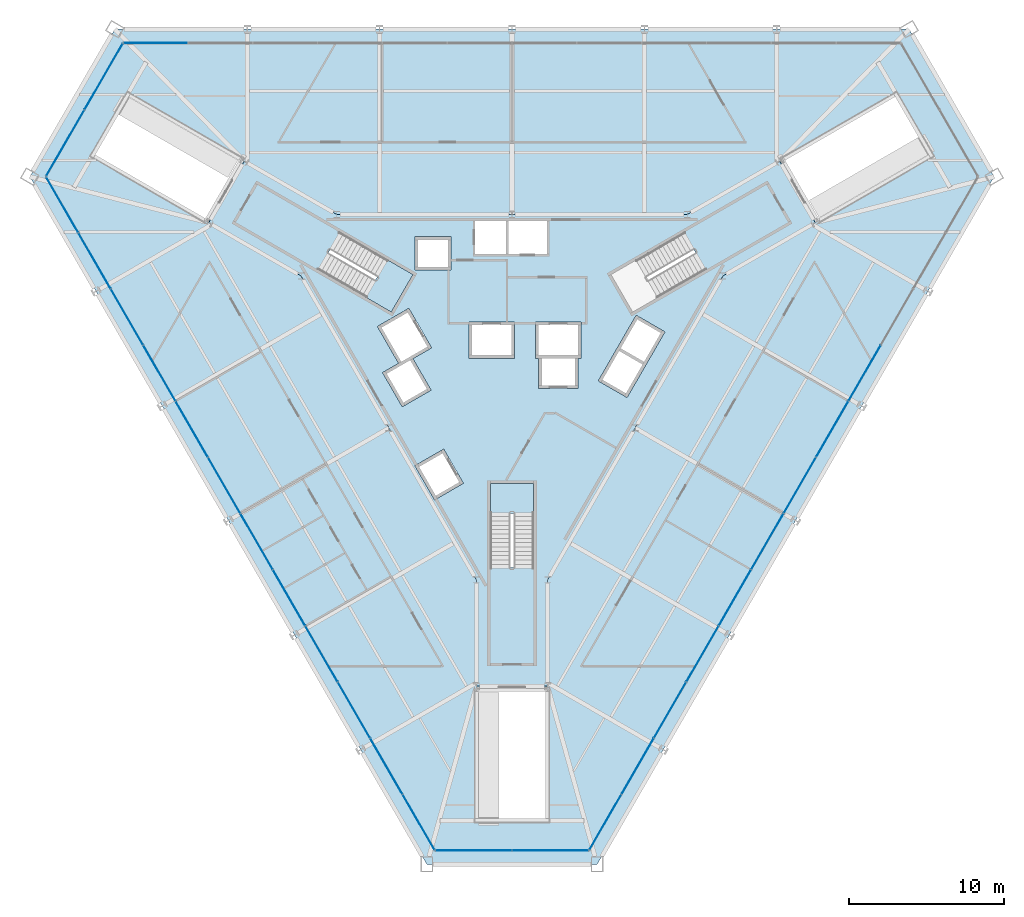
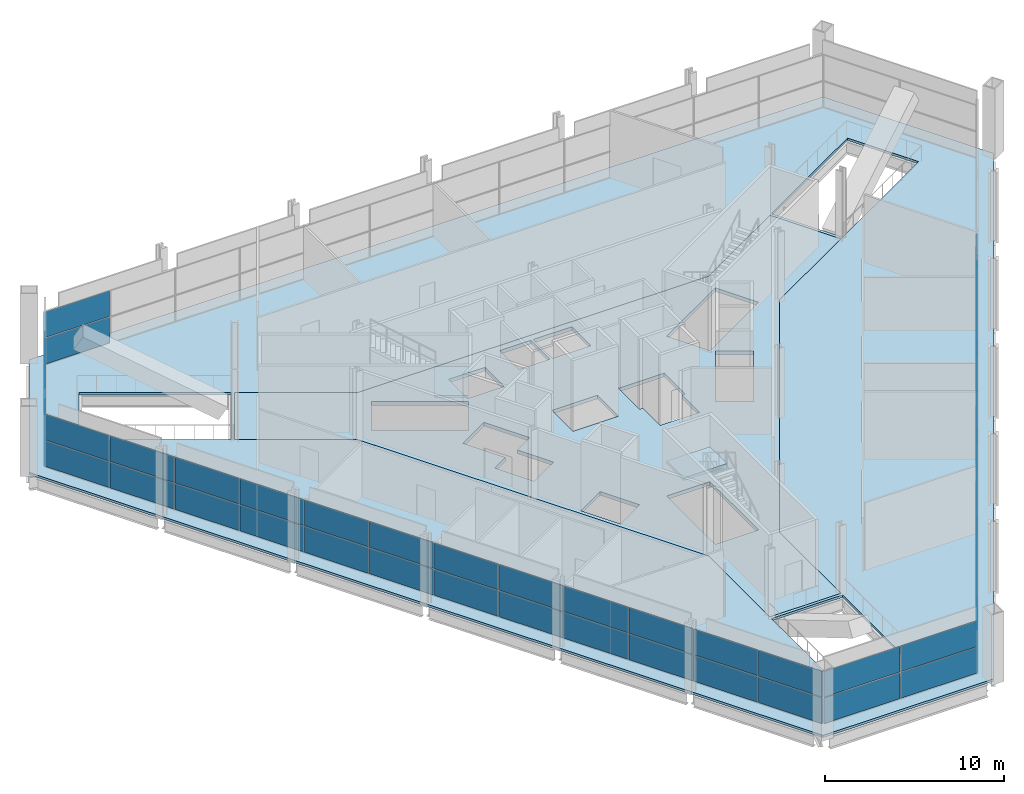
# One storey, part 11 of 18: 52 plates, 4 slabs, 7 elements without a shape of their own.
"""IFC4 building model written with IfcOpenShell, lengths in metres."""

from ifc_helpers import new_model, si_unit, direction, frame, origin, origin_2d, place, context, subcontext, project, spatial, polyline, rectangle, outline, extrude, material, layer, layer_set, type_object, element, aggregate, save


model = new_model("IFC4")

# Units and contexts
model_context = context("Model", 3, precision=1e-05, world=origin(), true_north=direction((0.0, 1.0)))
body_context = subcontext(model_context, "Body", "Model", "MODEL_VIEW")
ifc_project = project(units=[si_unit("LENGTHUNIT", "METRE"), si_unit("AREAUNIT", "SQUARE_METRE"), si_unit("VOLUMEUNIT", "CUBIC_METRE"), si_unit("PLANEANGLEUNIT", "RADIAN"), si_unit("MASSUNIT", "GRAM", prefix="KILO")], contexts=[model_context])

# Site, building, storey
site_placement = place(None, origin())
site = spatial("IfcSite", under=ifc_project, at=site_placement, CompositionType="ELEMENT")
building_placement = place(site_placement, origin())
building = spatial("IfcBuilding", under=site, at=building_placement, Name="Verrane Prism Tower", CompositionType="ELEMENT")
storey_placement = place(building_placement, frame((0.0, 0.0, 22.39990234375)))
storey = spatial("IfcBuildingStorey", under=building, at=storey_placement, Name="L03", CompositionType="ELEMENT", Elevation=22.39990234375)

# Curtain wall, plates
ifc_material_1 = material(Name="Aluminium and glass curtain wall", Category="aluminium")
ifc_layer_1 = layer(ifc_material_1, 0.199951171875)
ifc_layer_set_1 = layer_set([ifc_layer_1], Name="CWB-1 retail curtain wall")
curtain_wall_type = type_object("IfcCurtainWallType", Name="CWB-1 retail curtain wall", PredefinedType="NOTDEFINED", material=ifc_layer_set_1)
curtain_wall_1_placement = place(storey_placement, origin())
curtain_wall_1 = element("IfcCurtainWall", 1, at=curtain_wall_1_placement, inside=storey, type_object=curtain_wall_type, Name="Retail curtain wall L03 2", PredefinedType="NOTDEFINED")
ifc_material_2 = material(Name="Glass double glazed low-e", Category="glass")
ifc_layer_2 = layer(ifc_material_2, 0.028076171875)
ifc_layer_set_2 = layer_set([ifc_layer_2], Name="CWB-P 28 mm low-e glass panel")
plate_type = type_object("IfcPlateType", Name="CWB-P 28 mm low-e glass panel", PredefinedType="CURTAIN_PANEL", material=ifc_layer_set_2)
plate_1_placement = place(storey_placement, frame((-23.037109375, 20.27001953125, 0.06005859375), z_axis=(0.0, 0.0, 1.0), x_axis=(-1.0, 0.0, 0.0)))
plate_1 = element("IfcPlate", 2, at=plate_1_placement, type_object=plate_type, Name="CWB32 panel 12.1", PredefinedType="CURTAIN_PANEL", context=body_context, shape_type="SweptSolid", body=[
    extrude(rectangle(XDim=4.101318359375, YDim=0.028076171875, at=origin_2d()), origin(), (0.0, 0.0, 1.0), 1.7548828125),
])
plate_2_placement = place(storey_placement, frame((-23.037109375, 20.27001953125, 1.875244140625), z_axis=(0.0, 0.0, 1.0), x_axis=(-1.0, 0.0, 0.0)))
plate_2 = element("IfcPlate", 3, at=plate_2_placement, type_object=plate_type, Name="CWB32 panel 12.2", PredefinedType="CURTAIN_PANEL", context=body_context, shape_type="SweptSolid", body=[
    extrude(rectangle(XDim=4.101318359375, YDim=0.028076171875, at=origin_2d()), origin(), (0.0, 0.0, 1.0), 1.7548828125),
])
aggregate(curtain_wall_1, [plate_1, plate_2])

curtain_wall_2_placement = place(storey_placement, origin())
curtain_wall_2 = element("IfcCurtainWall", 4, at=curtain_wall_2_placement, inside=storey, type_object=curtain_wall_type, Name="Retail curtain wall L03 3", PredefinedType="NOTDEFINED")
plate_3_placement = place(storey_placement, frame((-26.400390625, 18.100341796875, 0.06005859375), z_axis=(0.0, 0.0, 1.0), x_axis=(-0.499999190758, -0.866025871, 0.0)))
plate_3 = element("IfcPlate", 5, at=plate_3_placement, type_object=plate_type, Name="CWB33 panel 1.1", PredefinedType="CURTAIN_PANEL", context=body_context, shape_type="SweptSolid", body=[
    extrude(rectangle(XDim=4.890380859375, YDim=0.028076171875, at=origin_2d()), origin(), (0.0, 0.0, 1.0), 1.7548828125),
])
plate_4_placement = place(storey_placement, frame((-26.400390625, 18.100341796875, 1.875244140625), z_axis=(0.0, 0.0, 1.0), x_axis=(-0.499999190758, -0.866025871, 0.0)))
plate_4 = element("IfcPlate", 6, at=plate_4_placement, type_object=plate_type, Name="CWB33 panel 1.2", PredefinedType="CURTAIN_PANEL", context=body_context, shape_type="SweptSolid", body=[
    extrude(rectangle(XDim=4.890380859375, YDim=0.028076171875, at=origin_2d()), origin(), (0.0, 0.0, 1.0), 1.7548828125),
])
plate_5_placement = place(storey_placement, frame((-28.875732421875, 13.813232421875, 0.06005859375), z_axis=(0.0, 0.0, 1.0), x_axis=(-0.499999190758, -0.866025871, 0.0)))
plate_5 = element("IfcPlate", 7, at=plate_5_placement, type_object=plate_type, Name="CWB33 panel 2.1", PredefinedType="CURTAIN_PANEL", context=body_context, shape_type="SweptSolid", body=[
    extrude(rectangle(XDim=4.890380859375, YDim=0.028076171875, at=origin_2d()), origin(), (0.0, 0.0, 1.0), 1.7548828125),
])
plate_6_placement = place(storey_placement, frame((-28.875732421875, 13.813232421875, 1.875244140625), z_axis=(0.0, 0.0, 1.0), x_axis=(-0.499999190758, -0.866025871, 0.0)))
plate_6 = element("IfcPlate", 8, at=plate_6_placement, type_object=plate_type, Name="CWB33 panel 2.2", PredefinedType="CURTAIN_PANEL", context=body_context, shape_type="SweptSolid", body=[
    extrude(rectangle(XDim=4.890380859375, YDim=0.028076171875, at=origin_2d()), origin(), (0.0, 0.0, 1.0), 1.7548828125),
])
aggregate(curtain_wall_2, [plate_3, plate_4, plate_5, plate_6])

curtain_wall_3_placement = place(storey_placement, origin())
curtain_wall_3 = element("IfcCurtainWall", 9, at=curtain_wall_3_placement, inside=storey, type_object=curtain_wall_type, Name="Retail curtain wall L03 4", PredefinedType="NOTDEFINED")
plate_7_placement = place(storey_placement, frame((-29.072998046875, 9.81591796875, 0.06005859375), z_axis=(0.0, 0.0, 1.0), x_axis=(0.50000011897, -0.866025335097, 0.0)))
plate_7 = element("IfcPlate", 10, at=plate_7_placement, type_object=plate_type, Name="CWB34 panel 1.1", PredefinedType="CURTAIN_PANEL", context=body_context, shape_type="SweptSolid", body=[
    extrude(rectangle(XDim=4.101318359375, YDim=0.028076171875, at=origin_2d()), origin(), (0.0, 0.0, 1.0), 1.7548828125),
])
plate_8_placement = place(storey_placement, frame((-29.072998046875, 9.81591796875, 1.875244140625), z_axis=(0.0, 0.0, 1.0), x_axis=(0.50000011897, -0.866025335097, 0.0)))
plate_8 = element("IfcPlate", 11, at=plate_8_placement, type_object=plate_type, Name="CWB34 panel 1.2", PredefinedType="CURTAIN_PANEL", context=body_context, shape_type="SweptSolid", body=[
    extrude(rectangle(XDim=4.101318359375, YDim=0.028076171875, at=origin_2d()), origin(), (0.0, 0.0, 1.0), 1.7548828125),
])
plate_9_placement = place(storey_placement, frame((-26.98486328125, 6.198974609375, 0.06005859375), z_axis=(0.0, 0.0, 1.0), x_axis=(0.50000011897, -0.866025335097, 0.0)))
plate_9 = element("IfcPlate", 12, at=plate_9_placement, type_object=plate_type, Name="CWB34 panel 2.1", PredefinedType="CURTAIN_PANEL", context=body_context, shape_type="SweptSolid", body=[
    extrude(rectangle(XDim=4.13134765625, YDim=0.028076171875, at=origin_2d()), origin(), (0.0, 0.0, 1.0), 1.7548828125),
])
plate_10_placement = place(storey_placement, frame((-26.98486328125, 6.198974609375, 1.875244140625), z_axis=(0.0, 0.0, 1.0), x_axis=(0.50000011897, -0.866025335097, 0.0)))
plate_10 = element("IfcPlate", 13, at=plate_10_placement, type_object=plate_type, Name="CWB34 panel 2.2", PredefinedType="CURTAIN_PANEL", context=body_context, shape_type="SweptSolid", body=[
    extrude(rectangle(XDim=4.13134765625, YDim=0.028076171875, at=origin_2d()), origin(), (0.0, 0.0, 1.0), 1.7548828125),
])
plate_11_placement = place(storey_placement, frame((-24.88916015625, 2.5693359375, 0.06005859375), z_axis=(0.0, 0.0, 1.0), x_axis=(0.50000011897, -0.866025335097, 0.0)))
plate_11 = element("IfcPlate", 14, at=plate_11_placement, type_object=plate_type, Name="CWB34 panel 3.1", PredefinedType="CURTAIN_PANEL", context=body_context, shape_type="SweptSolid", body=[
    extrude(rectangle(XDim=4.13134765625, YDim=0.028076171875, at=origin_2d()), origin(), (0.0, 0.0, 1.0), 1.7548828125),
])
plate_12_placement = place(storey_placement, frame((-24.88916015625, 2.5693359375, 1.875244140625), z_axis=(0.0, 0.0, 1.0), x_axis=(0.50000011897, -0.866025335097, 0.0)))
plate_12 = element("IfcPlate", 15, at=plate_12_placement, type_object=plate_type, Name="CWB34 panel 3.2", PredefinedType="CURTAIN_PANEL", context=body_context, shape_type="SweptSolid", body=[
    extrude(rectangle(XDim=4.13134765625, YDim=0.028076171875, at=origin_2d()), origin(), (0.0, 0.0, 1.0), 1.7548828125),
])
plate_13_placement = place(storey_placement, frame((-22.79345703125, -1.060546875, 0.06005859375), z_axis=(0.0, 0.0, 1.0), x_axis=(0.50000011897, -0.866025335097, 0.0)))
plate_13 = element("IfcPlate", 16, at=plate_13_placement, type_object=plate_type, Name="CWB34 panel 4.1", PredefinedType="CURTAIN_PANEL", context=body_context, shape_type="SweptSolid", body=[
    extrude(rectangle(XDim=4.13134765625, YDim=0.028076171875, at=origin_2d()), origin(), (0.0, 0.0, 1.0), 1.7548828125),
])
plate_14_placement = place(storey_placement, frame((-22.79345703125, -1.060546875, 1.875244140625), z_axis=(0.0, 0.0, 1.0), x_axis=(0.50000011897, -0.866025335097, 0.0)))
plate_14 = element("IfcPlate", 17, at=plate_14_placement, type_object=plate_type, Name="CWB34 panel 4.2", PredefinedType="CURTAIN_PANEL", context=body_context, shape_type="SweptSolid", body=[
    extrude(rectangle(XDim=4.13134765625, YDim=0.028076171875, at=origin_2d()), origin(), (0.0, 0.0, 1.0), 1.7548828125),
])
plate_15_placement = place(storey_placement, frame((-20.69775390625, -4.6904296875, 0.06005859375), z_axis=(0.0, 0.0, 1.0), x_axis=(0.50000011897, -0.866025335097, 0.0)))
plate_15 = element("IfcPlate", 18, at=plate_15_placement, type_object=plate_type, Name="CWB34 panel 5.1", PredefinedType="CURTAIN_PANEL", context=body_context, shape_type="SweptSolid", body=[
    extrude(rectangle(XDim=4.13134765625, YDim=0.028076171875, at=origin_2d()), origin(), (0.0, 0.0, 1.0), 1.7548828125),
])
plate_16_placement = place(storey_placement, frame((-20.69775390625, -4.6904296875, 1.875244140625), z_axis=(0.0, 0.0, 1.0), x_axis=(0.50000011897, -0.866025335097, 0.0)))
plate_16 = element("IfcPlate", 19, at=plate_16_placement, type_object=plate_type, Name="CWB34 panel 5.2", PredefinedType="CURTAIN_PANEL", context=body_context, shape_type="SweptSolid", body=[
    extrude(rectangle(XDim=4.13134765625, YDim=0.028076171875, at=origin_2d()), origin(), (0.0, 0.0, 1.0), 1.7548828125),
])
plate_17_placement = place(storey_placement, frame((-18.60205078125, -8.320068359375, 0.06005859375), z_axis=(0.0, 0.0, 1.0), x_axis=(0.50000011897, -0.866025335097, 0.0)))
plate_17 = element("IfcPlate", 20, at=plate_17_placement, type_object=plate_type, Name="CWB34 panel 6.1", PredefinedType="CURTAIN_PANEL", context=body_context, shape_type="SweptSolid", body=[
    extrude(rectangle(XDim=4.13134765625, YDim=0.028076171875, at=origin_2d()), origin(), (0.0, 0.0, 1.0), 1.7548828125),
])
plate_18_placement = place(storey_placement, frame((-18.60205078125, -8.320068359375, 1.875244140625), z_axis=(0.0, 0.0, 1.0), x_axis=(0.50000011897, -0.866025335097, 0.0)))
plate_18 = element("IfcPlate", 21, at=plate_18_placement, type_object=plate_type, Name="CWB34 panel 6.2", PredefinedType="CURTAIN_PANEL", context=body_context, shape_type="SweptSolid", body=[
    extrude(rectangle(XDim=4.13134765625, YDim=0.028076171875, at=origin_2d()), origin(), (0.0, 0.0, 1.0), 1.7548828125),
])
plate_19_placement = place(storey_placement, frame((-16.506591796875, -11.949951171875, 0.06005859375), z_axis=(0.0, 0.0, 1.0), x_axis=(0.50000011897, -0.866025335097, 0.0)))
plate_19 = element("IfcPlate", 22, at=plate_19_placement, type_object=plate_type, Name="CWB34 panel 7.1", PredefinedType="CURTAIN_PANEL", context=body_context, shape_type="SweptSolid", body=[
    extrude(rectangle(XDim=4.13134765625, YDim=0.028076171875, at=origin_2d()), origin(), (0.0, 0.0, 1.0), 1.7548828125),
])
plate_20_placement = place(storey_placement, frame((-16.506591796875, -11.949951171875, 1.875244140625), z_axis=(0.0, 0.0, 1.0), x_axis=(0.50000011897, -0.866025335097, 0.0)))
plate_20 = element("IfcPlate", 23, at=plate_20_placement, type_object=plate_type, Name="CWB34 panel 7.2", PredefinedType="CURTAIN_PANEL", context=body_context, shape_type="SweptSolid", body=[
    extrude(rectangle(XDim=4.13134765625, YDim=0.028076171875, at=origin_2d()), origin(), (0.0, 0.0, 1.0), 1.7548828125),
])
plate_21_placement = place(storey_placement, frame((-14.410888671875, -15.57958984375, 0.06005859375), z_axis=(0.0, 0.0, 1.0), x_axis=(0.50000011897, -0.866025335097, 0.0)))
plate_21 = element("IfcPlate", 24, at=plate_21_placement, type_object=plate_type, Name="CWB34 panel 8.1", PredefinedType="CURTAIN_PANEL", context=body_context, shape_type="SweptSolid", body=[
    extrude(rectangle(XDim=4.13134765625, YDim=0.028076171875, at=origin_2d()), origin(), (0.0, 0.0, 1.0), 1.7548828125),
])
plate_22_placement = place(storey_placement, frame((-14.410888671875, -15.57958984375, 1.875244140625), z_axis=(0.0, 0.0, 1.0), x_axis=(0.50000011897, -0.866025335097, 0.0)))
plate_22 = element("IfcPlate", 25, at=plate_22_placement, type_object=plate_type, Name="CWB34 panel 8.2", PredefinedType="CURTAIN_PANEL", context=body_context, shape_type="SweptSolid", body=[
    extrude(rectangle(XDim=4.13134765625, YDim=0.028076171875, at=origin_2d()), origin(), (0.0, 0.0, 1.0), 1.7548828125),
])
plate_23_placement = place(storey_placement, frame((-12.315185546875, -19.20947265625, 0.06005859375), z_axis=(0.0, 0.0, 1.0), x_axis=(0.50000011897, -0.866025335097, 0.0)))
plate_23 = element("IfcPlate", 26, at=plate_23_placement, type_object=plate_type, Name="CWB34 panel 9.1", PredefinedType="CURTAIN_PANEL", context=body_context, shape_type="SweptSolid", body=[
    extrude(rectangle(XDim=4.13134765625, YDim=0.028076171875, at=origin_2d()), origin(), (0.0, 0.0, 1.0), 1.7548828125),
])
plate_24_placement = place(storey_placement, frame((-12.315185546875, -19.20947265625, 1.875244140625), z_axis=(0.0, 0.0, 1.0), x_axis=(0.50000011897, -0.866025335097, 0.0)))
plate_24 = element("IfcPlate", 27, at=plate_24_placement, type_object=plate_type, Name="CWB34 panel 9.2", PredefinedType="CURTAIN_PANEL", context=body_context, shape_type="SweptSolid", body=[
    extrude(rectangle(XDim=4.13134765625, YDim=0.028076171875, at=origin_2d()), origin(), (0.0, 0.0, 1.0), 1.7548828125),
])
plate_25_placement = place(storey_placement, frame((-10.219482421875, -22.83935546875, 0.06005859375), z_axis=(0.0, 0.0, 1.0), x_axis=(0.50000011897, -0.866025335097, 0.0)))
plate_25 = element("IfcPlate", 28, at=plate_25_placement, type_object=plate_type, Name="CWB34 panel 10.1", PredefinedType="CURTAIN_PANEL", context=body_context, shape_type="SweptSolid", body=[
    extrude(rectangle(XDim=4.13134765625, YDim=0.028076171875, at=origin_2d()), origin(), (0.0, 0.0, 1.0), 1.7548828125),
])
plate_26_placement = place(storey_placement, frame((-10.219482421875, -22.83935546875, 1.875244140625), z_axis=(0.0, 0.0, 1.0), x_axis=(0.50000011897, -0.866025335097, 0.0)))
plate_26 = element("IfcPlate", 29, at=plate_26_placement, type_object=plate_type, Name="CWB34 panel 10.2", PredefinedType="CURTAIN_PANEL", context=body_context, shape_type="SweptSolid", body=[
    extrude(rectangle(XDim=4.13134765625, YDim=0.028076171875, at=origin_2d()), origin(), (0.0, 0.0, 1.0), 1.7548828125),
])
plate_27_placement = place(storey_placement, frame((-8.123779296875, -26.468994140625, 0.06005859375), z_axis=(0.0, 0.0, 1.0), x_axis=(0.50000011897, -0.866025335097, 0.0)))
plate_27 = element("IfcPlate", 30, at=plate_27_placement, type_object=plate_type, Name="CWB34 panel 11.1", PredefinedType="CURTAIN_PANEL", context=body_context, shape_type="SweptSolid", body=[
    extrude(rectangle(XDim=4.13134765625, YDim=0.028076171875, at=origin_2d()), origin(), (0.0, 0.0, 1.0), 1.7548828125),
])
plate_28_placement = place(storey_placement, frame((-8.123779296875, -26.468994140625, 1.875244140625), z_axis=(0.0, 0.0, 1.0), x_axis=(0.50000011897, -0.866025335097, 0.0)))
plate_28 = element("IfcPlate", 31, at=plate_28_placement, type_object=plate_type, Name="CWB34 panel 11.2", PredefinedType="CURTAIN_PANEL", context=body_context, shape_type="SweptSolid", body=[
    extrude(rectangle(XDim=4.13134765625, YDim=0.028076171875, at=origin_2d()), origin(), (0.0, 0.0, 1.0), 1.7548828125),
])
plate_29_placement = place(storey_placement, frame((-6.03564453125, -30.0859375, 0.06005859375), z_axis=(0.0, 0.0, 1.0), x_axis=(0.50000011897, -0.866025335097, 0.0)))
plate_29 = element("IfcPlate", 32, at=plate_29_placement, type_object=plate_type, Name="CWB34 panel 12.1", PredefinedType="CURTAIN_PANEL", context=body_context, shape_type="SweptSolid", body=[
    extrude(rectangle(XDim=4.101318359375, YDim=0.028076171875, at=origin_2d()), origin(), (0.0, 0.0, 1.0), 1.7548828125),
])
plate_30_placement = place(storey_placement, frame((-6.03564453125, -30.0859375, 1.875244140625), z_axis=(0.0, 0.0, 1.0), x_axis=(0.50000011897, -0.866025335097, 0.0)))
plate_30 = element("IfcPlate", 33, at=plate_30_placement, type_object=plate_type, Name="CWB34 panel 12.2", PredefinedType="CURTAIN_PANEL", context=body_context, shape_type="SweptSolid", body=[
    extrude(rectangle(XDim=4.101318359375, YDim=0.028076171875, at=origin_2d()), origin(), (0.0, 0.0, 1.0), 1.7548828125),
])
aggregate(curtain_wall_3, [plate_7, plate_8, plate_9, plate_10, plate_11, plate_12, plate_13, plate_14, plate_15, plate_16, plate_17, plate_18, plate_19, plate_20, plate_21, plate_22, plate_23, plate_24, plate_25, plate_26, plate_27, plate_28, plate_29, plate_30])

curtain_wall_4_placement = place(storey_placement, origin())
curtain_wall_4 = element("IfcCurtainWall", 34, at=curtain_wall_4_placement, inside=storey, type_object=curtain_wall_type, Name="Retail curtain wall L03 5", PredefinedType="NOTDEFINED")
plate_31_placement = place(storey_placement, frame((-2.47509765625, -31.913818359375, 0.06005859375), z_axis=(0.0, 0.0, 1.0), x_axis=(1.0, 0.0, 0.0)))
plate_31 = element("IfcPlate", 35, at=plate_31_placement, type_object=plate_type, Name="CWB35 panel 1.1", PredefinedType="CURTAIN_PANEL", context=body_context, shape_type="SweptSolid", body=[
    extrude(rectangle(XDim=4.890380859375, YDim=0.028076171875, at=origin_2d()), origin(), (0.0, 0.0, 1.0), 1.7548828125),
])
plate_32_placement = place(storey_placement, frame((-2.47509765625, -31.913818359375, 1.875244140625), z_axis=(0.0, 0.0, 1.0), x_axis=(1.0, 0.0, 0.0)))
plate_32 = element("IfcPlate", 36, at=plate_32_placement, type_object=plate_type, Name="CWB35 panel 1.2", PredefinedType="CURTAIN_PANEL", context=body_context, shape_type="SweptSolid", body=[
    extrude(rectangle(XDim=4.890380859375, YDim=0.028076171875, at=origin_2d()), origin(), (0.0, 0.0, 1.0), 1.7548828125),
])
plate_33_placement = place(storey_placement, frame((2.47509765625, -31.913818359375, 0.06005859375), z_axis=(0.0, 0.0, 1.0), x_axis=(1.0, 0.0, 0.0)))
plate_33 = element("IfcPlate", 37, at=plate_33_placement, type_object=plate_type, Name="CWB35 panel 2.1", PredefinedType="CURTAIN_PANEL", context=body_context, shape_type="SweptSolid", body=[
    extrude(rectangle(XDim=4.890380859375, YDim=0.028076171875, at=origin_2d()), origin(), (0.0, 0.0, 1.0), 1.7548828125),
])
plate_34_placement = place(storey_placement, frame((2.47509765625, -31.913818359375, 1.875244140625), z_axis=(0.0, 0.0, 1.0), x_axis=(1.0, 0.0, 0.0)))
plate_34 = element("IfcPlate", 38, at=plate_34_placement, type_object=plate_type, Name="CWB35 panel 2.2", PredefinedType="CURTAIN_PANEL", context=body_context, shape_type="SweptSolid", body=[
    extrude(rectangle(XDim=4.890380859375, YDim=0.028076171875, at=origin_2d()), origin(), (0.0, 0.0, 1.0), 1.7548828125),
])
aggregate(curtain_wall_4, [plate_31, plate_32, plate_33, plate_34])

curtain_wall_5_placement = place(storey_placement, origin())
curtain_wall_5 = element("IfcCurtainWall", 39, at=curtain_wall_5_placement, inside=storey, type_object=curtain_wall_type, Name="Retail curtain wall L03 6", PredefinedType="NOTDEFINED")
plate_35_placement = place(storey_placement, frame((6.03564453125, -30.0859375, 0.06005859375), z_axis=(0.0, 0.0, 1.0), x_axis=(0.50000011897, 0.866025335097, 0.0)))
plate_35 = element("IfcPlate", 40, at=plate_35_placement, type_object=plate_type, Name="CWB36 panel 1.1", PredefinedType="CURTAIN_PANEL", context=body_context, shape_type="SweptSolid", body=[
    extrude(rectangle(XDim=4.101318359375, YDim=0.028076171875, at=origin_2d()), origin(), (0.0, 0.0, 1.0), 1.7548828125),
])
plate_36_placement = place(storey_placement, frame((6.03564453125, -30.0859375, 1.875244140625), z_axis=(0.0, 0.0, 1.0), x_axis=(0.50000011897, 0.866025335097, 0.0)))
plate_36 = element("IfcPlate", 41, at=plate_36_placement, type_object=plate_type, Name="CWB36 panel 1.2", PredefinedType="CURTAIN_PANEL", context=body_context, shape_type="SweptSolid", body=[
    extrude(rectangle(XDim=4.101318359375, YDim=0.028076171875, at=origin_2d()), origin(), (0.0, 0.0, 1.0), 1.7548828125),
])
plate_37_placement = place(storey_placement, frame((8.123779296875, -26.468994140625, 0.06005859375), z_axis=(0.0, 0.0, 1.0), x_axis=(0.50000011897, 0.866025335097, 0.0)))
plate_37 = element("IfcPlate", 42, at=plate_37_placement, type_object=plate_type, Name="CWB36 panel 2.1", PredefinedType="CURTAIN_PANEL", context=body_context, shape_type="SweptSolid", body=[
    extrude(rectangle(XDim=4.13134765625, YDim=0.028076171875, at=origin_2d()), origin(), (0.0, 0.0, 1.0), 1.7548828125),
])
plate_38_placement = place(storey_placement, frame((8.123779296875, -26.468994140625, 1.875244140625), z_axis=(0.0, 0.0, 1.0), x_axis=(0.50000011897, 0.866025335097, 0.0)))
plate_38 = element("IfcPlate", 43, at=plate_38_placement, type_object=plate_type, Name="CWB36 panel 2.2", PredefinedType="CURTAIN_PANEL", context=body_context, shape_type="SweptSolid", body=[
    extrude(rectangle(XDim=4.13134765625, YDim=0.028076171875, at=origin_2d()), origin(), (0.0, 0.0, 1.0), 1.7548828125),
])
plate_39_placement = place(storey_placement, frame((10.219482421875, -22.83935546875, 0.06005859375), z_axis=(0.0, 0.0, 1.0), x_axis=(0.50000011897, 0.866025335097, 0.0)))
plate_39 = element("IfcPlate", 44, at=plate_39_placement, type_object=plate_type, Name="CWB36 panel 3.1", PredefinedType="CURTAIN_PANEL", context=body_context, shape_type="SweptSolid", body=[
    extrude(rectangle(XDim=4.13134765625, YDim=0.028076171875, at=origin_2d()), origin(), (0.0, 0.0, 1.0), 1.7548828125),
])
plate_40_placement = place(storey_placement, frame((10.219482421875, -22.83935546875, 1.875244140625), z_axis=(0.0, 0.0, 1.0), x_axis=(0.50000011897, 0.866025335097, 0.0)))
plate_40 = element("IfcPlate", 45, at=plate_40_placement, type_object=plate_type, Name="CWB36 panel 3.2", PredefinedType="CURTAIN_PANEL", context=body_context, shape_type="SweptSolid", body=[
    extrude(rectangle(XDim=4.13134765625, YDim=0.028076171875, at=origin_2d()), origin(), (0.0, 0.0, 1.0), 1.7548828125),
])
plate_41_placement = place(storey_placement, frame((12.315185546875, -19.20947265625, 0.06005859375), z_axis=(0.0, 0.0, 1.0), x_axis=(0.50000011897, 0.866025335097, 0.0)))
plate_41 = element("IfcPlate", 46, at=plate_41_placement, type_object=plate_type, Name="CWB36 panel 4.1", PredefinedType="CURTAIN_PANEL", context=body_context, shape_type="SweptSolid", body=[
    extrude(rectangle(XDim=4.13134765625, YDim=0.028076171875, at=origin_2d()), origin(), (0.0, 0.0, 1.0), 1.7548828125),
])
plate_42_placement = place(storey_placement, frame((12.315185546875, -19.20947265625, 1.875244140625), z_axis=(0.0, 0.0, 1.0), x_axis=(0.50000011897, 0.866025335097, 0.0)))
plate_42 = element("IfcPlate", 47, at=plate_42_placement, type_object=plate_type, Name="CWB36 panel 4.2", PredefinedType="CURTAIN_PANEL", context=body_context, shape_type="SweptSolid", body=[
    extrude(rectangle(XDim=4.13134765625, YDim=0.028076171875, at=origin_2d()), origin(), (0.0, 0.0, 1.0), 1.7548828125),
])
plate_43_placement = place(storey_placement, frame((14.410888671875, -15.57958984375, 0.06005859375), z_axis=(0.0, 0.0, 1.0), x_axis=(0.50000011897, 0.866025335097, 0.0)))
plate_43 = element("IfcPlate", 48, at=plate_43_placement, type_object=plate_type, Name="CWB36 panel 5.1", PredefinedType="CURTAIN_PANEL", context=body_context, shape_type="SweptSolid", body=[
    extrude(rectangle(XDim=4.13134765625, YDim=0.028076171875, at=origin_2d()), origin(), (0.0, 0.0, 1.0), 1.7548828125),
])
plate_44_placement = place(storey_placement, frame((14.410888671875, -15.57958984375, 1.875244140625), z_axis=(0.0, 0.0, 1.0), x_axis=(0.50000011897, 0.866025335097, 0.0)))
plate_44 = element("IfcPlate", 49, at=plate_44_placement, type_object=plate_type, Name="CWB36 panel 5.2", PredefinedType="CURTAIN_PANEL", context=body_context, shape_type="SweptSolid", body=[
    extrude(rectangle(XDim=4.13134765625, YDim=0.028076171875, at=origin_2d()), origin(), (0.0, 0.0, 1.0), 1.7548828125),
])
plate_45_placement = place(storey_placement, frame((16.506591796875, -11.949951171875, 0.06005859375), z_axis=(0.0, 0.0, 1.0), x_axis=(0.50000011897, 0.866025335097, 0.0)))
plate_45 = element("IfcPlate", 50, at=plate_45_placement, type_object=plate_type, Name="CWB36 panel 6.1", PredefinedType="CURTAIN_PANEL", context=body_context, shape_type="SweptSolid", body=[
    extrude(rectangle(XDim=4.13134765625, YDim=0.028076171875, at=origin_2d()), origin(), (0.0, 0.0, 1.0), 1.7548828125),
])
plate_46_placement = place(storey_placement, frame((16.506591796875, -11.949951171875, 1.875244140625), z_axis=(0.0, 0.0, 1.0), x_axis=(0.50000011897, 0.866025335097, 0.0)))
plate_46 = element("IfcPlate", 51, at=plate_46_placement, type_object=plate_type, Name="CWB36 panel 6.2", PredefinedType="CURTAIN_PANEL", context=body_context, shape_type="SweptSolid", body=[
    extrude(rectangle(XDim=4.13134765625, YDim=0.028076171875, at=origin_2d()), origin(), (0.0, 0.0, 1.0), 1.7548828125),
])
plate_47_placement = place(storey_placement, frame((18.60205078125, -8.320068359375, 0.06005859375), z_axis=(0.0, 0.0, 1.0), x_axis=(0.50000011897, 0.866025335097, 0.0)))
plate_47 = element("IfcPlate", 52, at=plate_47_placement, type_object=plate_type, Name="CWB36 panel 7.1", PredefinedType="CURTAIN_PANEL", context=body_context, shape_type="SweptSolid", body=[
    extrude(rectangle(XDim=4.13134765625, YDim=0.028076171875, at=origin_2d()), origin(), (0.0, 0.0, 1.0), 1.7548828125),
])
plate_48_placement = place(storey_placement, frame((18.60205078125, -8.320068359375, 1.875244140625), z_axis=(0.0, 0.0, 1.0), x_axis=(0.50000011897, 0.866025335097, 0.0)))
plate_48 = element("IfcPlate", 53, at=plate_48_placement, type_object=plate_type, Name="CWB36 panel 7.2", PredefinedType="CURTAIN_PANEL", context=body_context, shape_type="SweptSolid", body=[
    extrude(rectangle(XDim=4.13134765625, YDim=0.028076171875, at=origin_2d()), origin(), (0.0, 0.0, 1.0), 1.7548828125),
])
plate_49_placement = place(storey_placement, frame((20.69775390625, -4.6904296875, 0.06005859375), z_axis=(0.0, 0.0, 1.0), x_axis=(0.50000011897, 0.866025335097, 0.0)))
plate_49 = element("IfcPlate", 54, at=plate_49_placement, type_object=plate_type, Name="CWB36 panel 8.1", PredefinedType="CURTAIN_PANEL", context=body_context, shape_type="SweptSolid", body=[
    extrude(rectangle(XDim=4.13134765625, YDim=0.028076171875, at=origin_2d()), origin(), (0.0, 0.0, 1.0), 1.7548828125),
])
plate_50_placement = place(storey_placement, frame((20.69775390625, -4.6904296875, 1.875244140625), z_axis=(0.0, 0.0, 1.0), x_axis=(0.50000011897, 0.866025335097, 0.0)))
plate_50 = element("IfcPlate", 55, at=plate_50_placement, type_object=plate_type, Name="CWB36 panel 8.2", PredefinedType="CURTAIN_PANEL", context=body_context, shape_type="SweptSolid", body=[
    extrude(rectangle(XDim=4.13134765625, YDim=0.028076171875, at=origin_2d()), origin(), (0.0, 0.0, 1.0), 1.7548828125),
])
plate_51_placement = place(storey_placement, frame((22.79345703125, -1.060546875, 0.06005859375), z_axis=(0.0, 0.0, 1.0), x_axis=(0.50000011897, 0.866025335097, 0.0)))
plate_51 = element("IfcPlate", 56, at=plate_51_placement, type_object=plate_type, Name="CWB36 panel 9.1", PredefinedType="CURTAIN_PANEL", context=body_context, shape_type="SweptSolid", body=[
    extrude(rectangle(XDim=4.13134765625, YDim=0.028076171875, at=origin_2d()), origin(), (0.0, 0.0, 1.0), 1.7548828125),
])
plate_52_placement = place(storey_placement, frame((22.79345703125, -1.060546875, 1.875244140625), z_axis=(0.0, 0.0, 1.0), x_axis=(0.50000011897, 0.866025335097, 0.0)))
plate_52 = element("IfcPlate", 57, at=plate_52_placement, type_object=plate_type, Name="CWB36 panel 9.2", PredefinedType="CURTAIN_PANEL", context=body_context, shape_type="SweptSolid", body=[
    extrude(rectangle(XDim=4.13134765625, YDim=0.028076171875, at=origin_2d()), origin(), (0.0, 0.0, 1.0), 1.7548828125),
])
aggregate(curtain_wall_5, [plate_35, plate_36, plate_37, plate_38, plate_39, plate_40, plate_41, plate_42, plate_43, plate_44, plate_45, plate_46, plate_47, plate_48, plate_49, plate_50, plate_51, plate_52])

# Slabs
ifc_material_3 = material(Name="Concrete C35/45", Category="concrete")
ifc_layer_3 = layer(ifc_material_3, 0.159912109375)
ifc_layer_set_3 = layer_set([ifc_layer_3], Name="Composite floor slab")
slab_type_1 = type_object("IfcSlabType", Name="Composite floor slab", PredefinedType="FLOOR", material=ifc_layer_set_3)
slab_1_placement = place(storey_placement, frame((0.0, 0.0, -0.159912109375)))
element("IfcSlab", 58, at=slab_1_placement, inside=storey, type_object=slab_type_1, Name="Floor slab L03", PredefinedType="FLOOR", context=body_context, shape_type="SweptSolid", body=[
    extrude(outline(polyline([(-25.66748046875, 21.169921875), (25.66748046875, 21.169921875), (31.16748046875, 11.643798828125), (5.5, -32.813720703125), (-5.5, -32.813720703125), (-31.16748046875, 11.643798828125), (-25.66748046875, 21.169921875)]), holes=[polyline([(0.0, 9.199951171875), (-11.330078125, 9.199951171875), (-17.300048828125, 12.639892578125), (-19.60009765625, 8.659912109375), (-13.6298828125, 5.219970703125), (-7.969970703125, -4.60009765625), (-2.300048828125, -14.419921875), (-2.300048828125, -21.300048828125), (2.300048828125, -21.300048828125), (2.300048828125, -14.419921875), (7.969970703125, -4.60009765625), (13.6298828125, 5.219970703125), (19.60009765625, 8.659912109375), (17.300048828125, 12.639892578125), (11.330078125, 9.199951171875), (0.0, 9.199951171875)]), polyline([(17.4609375, 12.73681640625), (19.760986328125, 8.753173828125), (27.130859375, 13.008056640625), (24.830810546875, 16.991943359375), (17.4609375, 12.73681640625)]), polyline([(-27.130859375, 13.008056640625), (-19.760986328125, 8.753173828125), (-17.4609375, 12.73681640625), (-24.830810546875, 16.991943359375), (-27.130859375, 13.008056640625)]), polyline([(-2.300048828125, -30.0), (2.300048828125, -30.0), (2.300048828125, -21.489990234375), (-2.300048828125, -21.489990234375), (-2.300048828125, -30.0)])]), origin(), (0.0, 0.0, 1.0), 0.159912109375),
])
ifc_material_4 = material(Name="Concrete C40/50", Category="concrete")
ifc_layer_4 = layer(ifc_material_4, 0.25)
ifc_layer_set_4 = layer_set([ifc_layer_4], Name="Core floor slab 250 concrete C40/50")
slab_type_2 = type_object("IfcSlabType", Name="Core floor slab 250 concrete C40/50", PredefinedType="FLOOR", material=ifc_layer_set_4)
slab_2_placement = place(storey_placement, frame((0.0, 0.0, -0.25)))
element("IfcSlab", 59, at=slab_2_placement, inside=storey, type_object=slab_type_2, Name="Core floor L03", PredefinedType="FLOOR", context=body_context, shape_type="SweptSolid", body=[
    extrude(outline(polyline([(13.6298828125, 5.219970703125), (19.60009765625, 8.659912109375), (17.300048828125, 12.639892578125), (11.330078125, 9.199951171875), (0.0, 9.199951171875), (-11.330078125, 9.199951171875), (-17.300048828125, 12.639892578125), (-19.60009765625, 8.659912109375), (-13.6298828125, 5.219970703125), (-7.969970703125, -4.60009765625), (-2.300048828125, -14.419921875), (-2.300048828125, -21.300048828125), (2.300048828125, -21.300048828125), (2.300048828125, -14.419921875), (7.969970703125, -4.60009765625), (13.6298828125, 5.219970703125)]), holes=[polyline([(-3.139892578125, -8.180908203125), (-5.001953125, -9.256103515625), (-6.277099609375, -7.048095703125), (-4.4150390625, -5.972900390625), (-3.139892578125, -8.180908203125)]), polyline([(0.1650390625, 2.25), (0.1650390625, -0.10009765625), (-2.784912109375, -0.10009765625), (-2.784912109375, 2.25), (0.1650390625, 2.25)]), polyline([(-7.801025390625, 2.887939453125), (-12.512939453125, 5.60791015625), (-11.113037109375, 8.031982421875), (-6.40087890625, 5.31201171875), (-7.801025390625, 2.887939453125)]), polyline([(-6.284912109375, 5.610107421875), (-6.284912109375, 7.760009765625), (-3.93505859375, 7.760009765625), (-3.93505859375, 5.610107421875), (-6.284912109375, 5.610107421875)]), polyline([(-2.385009765625, 6.635009765625), (-2.385009765625, 8.760009765625), (-0.375, 8.760009765625), (-0.375, 6.635009765625), (-2.385009765625, 6.635009765625)]), polyline([(1.39990234375, -8.199951171875), (1.39990234375, -13.639892578125), (-1.39990234375, -13.639892578125), (-1.39990234375, -8.199951171875), (1.39990234375, -8.199951171875)]), polyline([(4.27490234375, -2.050048828125), (1.72509765625, -2.050048828125), (1.72509765625, -0.10009765625), (1.52490234375, -0.10009765625), (1.52490234375, 2.25), (4.47509765625, 2.25), (4.47509765625, -0.10009765625), (4.27490234375, -0.10009765625), (4.27490234375, -2.050048828125)]), polyline([(9.887939453125, 1.60595703125), (7.43798828125, -2.636962890625), (5.575927734375, -1.56201171875), (8.02587890625, 2.680908203125), (9.887939453125, 1.60595703125)]), polyline([(11.113037109375, 8.031982421875), (12.512939453125, 5.60791015625), (7.801025390625, 2.887939453125), (6.40087890625, 5.31201171875), (11.113037109375, 8.031982421875)]), polyline([(-0.22509765625, 8.760009765625), (2.264892578125, 8.760009765625), (2.264892578125, 6.635009765625), (-0.22509765625, 6.635009765625), (-0.22509765625, 8.760009765625)]), polyline([(-5.23095703125, -2.159912109375), (-7.093017578125, -3.235107421875), (-8.367919921875, -1.02587890625), (-7.3291015625, -0.426025390625), (-8.7041015625, 1.955078125), (-6.66796875, 3.1298828125), (-5.193115234375, 0.574951171875), (-6.406005859375, -0.125), (-5.23095703125, -2.159912109375)])]), origin(), (0.0, 0.0, 1.0), 0.25),
])

# Stair, slab
ifc_material_5 = material(Name="Concrete C40/50", Category="concrete")
stair_type = type_object("IfcStairType", Name="Exit stair 1300 dog-leg precast concrete C40/50", PredefinedType="HALF_TURN_STAIR", material=ifc_material_5)
stair_1_placement = place(storey_placement, origin())
stair_1 = element("IfcStair", 60, at=stair_1_placement, inside=storey, type_object=stair_type, Name="Stair 2 L03", PredefinedType="HALF_TURN_STAIR")
ifc_material_6 = material(Name="Concrete C40/50", Category="concrete")
ifc_layer_5 = layer(ifc_material_6, 0.199951171875)
ifc_layer_set_5 = layer_set([ifc_layer_5], Name="Stair landing 200 precast concrete C40/50")
slab_type_3 = type_object("IfcSlabType", Name="Stair landing 200 precast concrete C40/50", PredefinedType="LANDING", material=ifc_layer_set_5)
slab_3_placement = place(storey_placement, frame((0.0, 0.0, 2.2001953125)))
slab_3 = element("IfcSlab", 61, at=slab_3_placement, type_object=slab_type_3, Name="Stair 2 landing 1", PredefinedType="LANDING", context=body_context, shape_type="SweptSolid", body=[
    extrude(outline(polyline([(-9.464111328125, 3.84765625), (-7.801513671875, 2.887451171875), (-6.4013671875, 5.3125), (-8.064208984375, 6.2724609375), (-9.464111328125, 3.84765625)])), origin(), (0.0, 0.0, 1.0), 0.199951171875),
])
aggregate(stair_1, [slab_3])

stair_2_placement = place(storey_placement, origin())
stair_2 = element("IfcStair", 62, at=stair_2_placement, inside=storey, type_object=stair_type, Name="Stair 3 L03", PredefinedType="HALF_TURN_STAIR")
slab_4_placement = place(storey_placement, frame((0.0, 0.0, 2.2001953125)))
slab_4 = element("IfcSlab", 63, at=slab_4_placement, type_object=slab_type_3, Name="Stair 3 landing 1", PredefinedType="LANDING", context=body_context, shape_type="SweptSolid", body=[
    extrude(outline(polyline([(1.39990234375, -10.1201171875), (1.39990234375, -8.199951171875), (-1.39990234375, -8.199951171875), (-1.39990234375, -10.1201171875), (1.39990234375, -10.1201171875)])), origin(), (0.0, 0.0, 1.0), 0.199951171875),
])
aggregate(stair_2, [slab_4])

save(model, "model.ifc")
